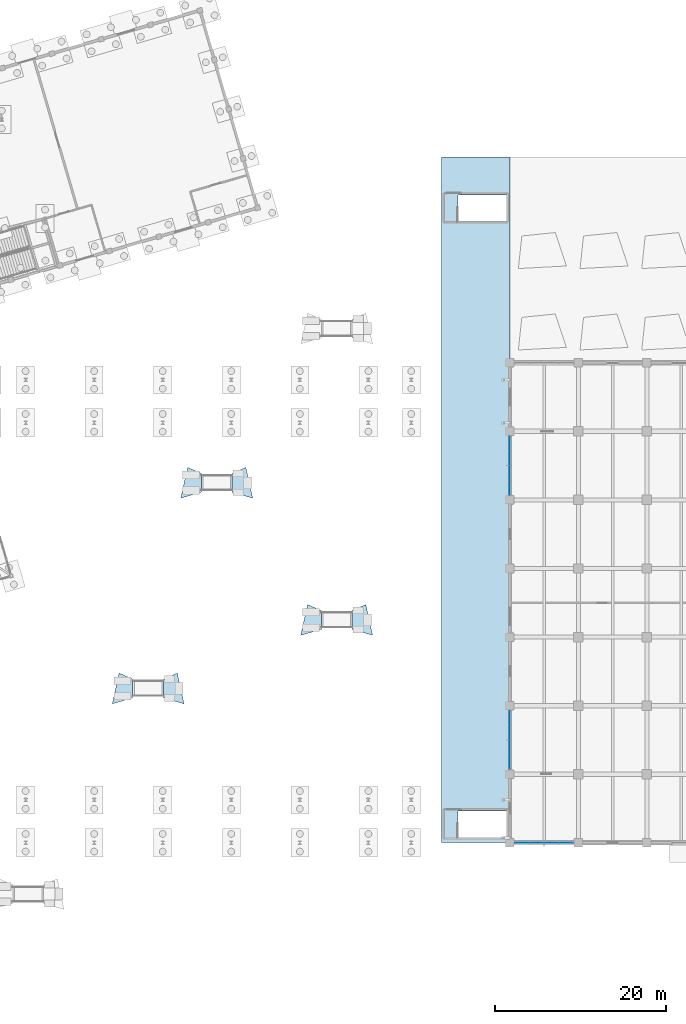
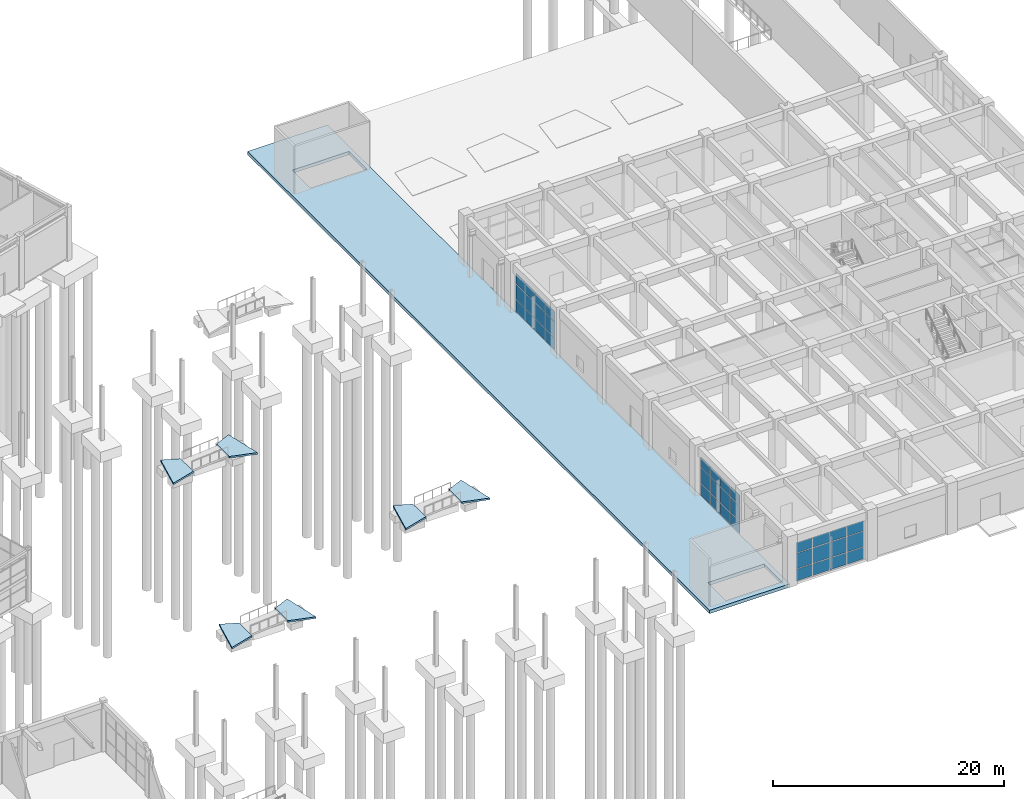
# One storey, part 65 of 90: 36 plates, 7 slabs, 3 elements without a shape of their own.
"""IFC4 building model written with IfcOpenShell, lengths in metres."""

from ifc_helpers import new_model, si_unit, direction, frame, origin, origin_2d, place, context, subcontext, project, spatial, polyline, rectangle, outline, extrude, material, layer, layer_set, type_object, element, aggregate, save


model = new_model("IFC4")

# Units and contexts
model_context = context("Model", 3, precision=1e-05, world=origin(), true_north=direction((0.0, 1.0)))
body_context = subcontext(model_context, "Body", "Model", "MODEL_VIEW")
ifc_project = project(units=[si_unit("LENGTHUNIT", "METRE"), si_unit("AREAUNIT", "SQUARE_METRE"), si_unit("VOLUMEUNIT", "CUBIC_METRE"), si_unit("PLANEANGLEUNIT", "RADIAN"), si_unit("MASSUNIT", "GRAM", prefix="KILO")], contexts=[model_context])

# Site, building, storey
site_placement = place(None, origin())
site = spatial("IfcSite", under=ifc_project, at=site_placement, CompositionType="ELEMENT")
building_placement = place(site_placement, origin())
building = spatial("IfcBuilding", under=site, at=building_placement, Name="Canggui Botanical Conservatory", CompositionType="ELEMENT")
storey_placement = place(building_placement, origin())
storey = spatial("IfcBuildingStorey", under=building, at=storey_placement, Name="L01", CompositionType="ELEMENT", Elevation=0.0)

# Curtain wall, plates
ifc_material_1 = material(Name="Thermally Broken Aluminium", Category="aluminium")
ifc_layer_1 = layer(ifc_material_1, 0.179931640625, Name="Thermally Broken Aluminium", Category="aluminium")
ifc_layer_set_1 = layer_set([ifc_layer_1], Name="Thermally Broken Aluminium")
curtain_wall_type = type_object("IfcCurtainWallType", Name="CW-UNIT-A", PredefinedType="USERDEFINED", material=ifc_layer_set_1)
curtain_wall_1_placement = place(storey_placement, origin())
curtain_wall_1 = element("IfcCurtainWall", 1, at=curtain_wall_1_placement, inside=storey, type_object=curtain_wall_type, Name="Facade Curtain Wall CW-TWR-L01-03", ObjectType="UNITISED CURTAIN WALL", PredefinedType="USERDEFINED")
ifc_material_2 = material(Name="Low-E Insulated Glass", Category="glass")
ifc_layer_2 = layer(ifc_material_2, 0.02587890625, Name="Low-E Insulated Glass", Category="glass")
ifc_layer_set_2 = layer_set([ifc_layer_2], Name="Low-E Insulated Glass")
plate_type = type_object("IfcPlateType", Name="CWP-01", PredefinedType="CURTAIN_PANEL", material=ifc_layer_set_2)
plate_1_placement = place(storey_placement, frame((136.5625, 26.0, 0.06494140625), z_axis=(0.0, 0.0, 1.0), x_axis=(-1.0, 0.0, 0.0)))
plate_1 = element("IfcPlate", 2, at=plate_1_placement, type_object=plate_type, Name="CW-01 panel 1.1", PredefinedType="CURTAIN_PANEL", context=body_context, shape_type="SweptSolid", body=[
    extrude(rectangle(XDim=1.614990234375, YDim=0.02587890625, at=origin_2d()), origin(), (0.0, 0.0, 1.0), 1.239990234375),
])
plate_2_placement = place(storey_placement, frame((136.5625, 26.0, 1.3701171875), z_axis=(0.0, 0.0, 1.0), x_axis=(-1.0, 0.0, 0.0)))
plate_2 = element("IfcPlate", 3, at=plate_2_placement, type_object=plate_type, Name="CW-01 panel 1.2", PredefinedType="CURTAIN_PANEL", context=body_context, shape_type="SweptSolid", body=[
    extrude(rectangle(XDim=1.614990234375, YDim=0.02587890625, at=origin_2d()), origin(), (0.0, 0.0, 1.0), 1.60693359375),
])
plate_3_placement = place(storey_placement, frame((136.5625, 26.0, 3.0419921875), z_axis=(0.0, 0.0, 1.0), x_axis=(-1.0, 0.0, 0.0)))
plate_3 = element("IfcPlate", 4, at=plate_3_placement, type_object=plate_type, Name="CW-01 panel 1.3", PredefinedType="CURTAIN_PANEL", context=body_context, shape_type="SweptSolid", body=[
    extrude(rectangle(XDim=1.614990234375, YDim=0.02587890625, at=origin_2d()), origin(), (0.0, 0.0, 1.0), 1.072998046875),
])
plate_4_placement = place(storey_placement, frame((134.860107421875, 26.0, 0.06494140625), z_axis=(0.0, 0.0, 1.0), x_axis=(-1.0, 0.0, 0.0)))
plate_4 = element("IfcPlate", 5, at=plate_4_placement, type_object=plate_type, Name="CW-01 panel 2.1", PredefinedType="CURTAIN_PANEL", context=body_context, shape_type="SweptSolid", body=[
    extrude(rectangle(XDim=1.64990234375, YDim=0.02587890625, at=origin_2d()), origin(), (0.0, 0.0, 1.0), 1.239990234375),
])
plate_5_placement = place(storey_placement, frame((134.860107421875, 26.0, 1.3701171875), z_axis=(0.0, 0.0, 1.0), x_axis=(-1.0, 0.0, 0.0)))
plate_5 = element("IfcPlate", 6, at=plate_5_placement, type_object=plate_type, Name="CW-01 panel 2.2", PredefinedType="CURTAIN_PANEL", context=body_context, shape_type="SweptSolid", body=[
    extrude(rectangle(XDim=1.64990234375, YDim=0.02587890625, at=origin_2d()), origin(), (0.0, 0.0, 1.0), 1.60693359375),
])
plate_6_placement = place(storey_placement, frame((134.860107421875, 26.0, 3.0419921875), z_axis=(0.0, 0.0, 1.0), x_axis=(-1.0, 0.0, 0.0)))
plate_6 = element("IfcPlate", 7, at=plate_6_placement, type_object=plate_type, Name="CW-01 panel 2.3", PredefinedType="CURTAIN_PANEL", context=body_context, shape_type="SweptSolid", body=[
    extrude(rectangle(XDim=1.64990234375, YDim=0.02587890625, at=origin_2d()), origin(), (0.0, 0.0, 1.0), 1.072998046875),
])
plate_7_placement = place(storey_placement, frame((133.139892578125, 26.0, 0.06494140625), z_axis=(0.0, 0.0, 1.0), x_axis=(-1.0, 0.0, 0.0)))
plate_7 = element("IfcPlate", 8, at=plate_7_placement, type_object=plate_type, Name="CW-01 panel 3.1", PredefinedType="CURTAIN_PANEL", context=body_context, shape_type="SweptSolid", body=[
    extrude(rectangle(XDim=1.64990234375, YDim=0.02587890625, at=origin_2d()), origin(), (0.0, 0.0, 1.0), 1.239990234375),
])
plate_8_placement = place(storey_placement, frame((133.139892578125, 26.0, 1.3701171875), z_axis=(0.0, 0.0, 1.0), x_axis=(-1.0, 0.0, 0.0)))
plate_8 = element("IfcPlate", 9, at=plate_8_placement, type_object=plate_type, Name="CW-01 panel 3.2", PredefinedType="CURTAIN_PANEL", context=body_context, shape_type="SweptSolid", body=[
    extrude(rectangle(XDim=1.64990234375, YDim=0.02587890625, at=origin_2d()), origin(), (0.0, 0.0, 1.0), 1.60693359375),
])
plate_9_placement = place(storey_placement, frame((133.139892578125, 26.0, 3.0419921875), z_axis=(0.0, 0.0, 1.0), x_axis=(-1.0, 0.0, 0.0)))
plate_9 = element("IfcPlate", 10, at=plate_9_placement, type_object=plate_type, Name="CW-01 panel 3.3", PredefinedType="CURTAIN_PANEL", context=body_context, shape_type="SweptSolid", body=[
    extrude(rectangle(XDim=1.64990234375, YDim=0.02587890625, at=origin_2d()), origin(), (0.0, 0.0, 1.0), 1.072998046875),
])
plate_10_placement = place(storey_placement, frame((131.4375, 26.0, 0.06494140625), z_axis=(0.0, 0.0, 1.0), x_axis=(-1.0, 0.0, 0.0)))
plate_10 = element("IfcPlate", 11, at=plate_10_placement, type_object=plate_type, Name="CW-01 panel 4.1", PredefinedType="CURTAIN_PANEL", context=body_context, shape_type="SweptSolid", body=[
    extrude(rectangle(XDim=1.614990234375, YDim=0.02587890625, at=origin_2d()), origin(), (0.0, 0.0, 1.0), 1.239990234375),
])
plate_11_placement = place(storey_placement, frame((131.4375, 26.0, 1.3701171875), z_axis=(0.0, 0.0, 1.0), x_axis=(-1.0, 0.0, 0.0)))
plate_11 = element("IfcPlate", 12, at=plate_11_placement, type_object=plate_type, Name="CW-01 panel 4.2", PredefinedType="CURTAIN_PANEL", context=body_context, shape_type="SweptSolid", body=[
    extrude(rectangle(XDim=1.614990234375, YDim=0.02587890625, at=origin_2d()), origin(), (0.0, 0.0, 1.0), 1.60693359375),
])
plate_12_placement = place(storey_placement, frame((131.4375, 26.0, 3.0419921875), z_axis=(0.0, 0.0, 1.0), x_axis=(-1.0, 0.0, 0.0)))
plate_12 = element("IfcPlate", 13, at=plate_12_placement, type_object=plate_type, Name="CW-01 panel 4.3", PredefinedType="CURTAIN_PANEL", context=body_context, shape_type="SweptSolid", body=[
    extrude(rectangle(XDim=1.614990234375, YDim=0.02587890625, at=origin_2d()), origin(), (0.0, 0.0, 1.0), 1.072998046875),
])
aggregate(curtain_wall_1, [plate_1, plate_2, plate_3, plate_4, plate_5, plate_6, plate_7, plate_8, plate_9, plate_10, plate_11, plate_12])

curtain_wall_2_placement = place(storey_placement, origin())
curtain_wall_2 = element("IfcCurtainWall", 14, at=curtain_wall_2_placement, inside=storey, type_object=curtain_wall_type, Name="Facade Curtain Wall CW-TWR-L01-05", ObjectType="UNITISED CURTAIN WALL", PredefinedType="USERDEFINED")
plate_13_placement = place(storey_placement, frame((130.0, 35.4375, 0.06494140625), z_axis=(0.0, 0.0, 1.0), x_axis=(0.0, 1.0, 0.0)))
plate_13 = element("IfcPlate", 15, at=plate_13_placement, type_object=plate_type, Name="CW-01 panel 1.1", PredefinedType="CURTAIN_PANEL", context=body_context, shape_type="SweptSolid", body=[
    extrude(rectangle(XDim=1.614990234375, YDim=0.02587890625, at=origin_2d()), origin(), (0.0, 0.0, 1.0), 1.239990234375),
])
plate_14_placement = place(storey_placement, frame((130.0, 35.4375, 1.3701171875), z_axis=(0.0, 0.0, 1.0), x_axis=(0.0, 1.0, 0.0)))
plate_14 = element("IfcPlate", 16, at=plate_14_placement, type_object=plate_type, Name="CW-01 panel 1.2", PredefinedType="CURTAIN_PANEL", context=body_context, shape_type="SweptSolid", body=[
    extrude(rectangle(XDim=1.614990234375, YDim=0.02587890625, at=origin_2d()), origin(), (0.0, 0.0, 1.0), 1.60693359375),
])
plate_15_placement = place(storey_placement, frame((130.0, 35.4375, 3.0419921875), z_axis=(0.0, 0.0, 1.0), x_axis=(0.0, 1.0, 0.0)))
plate_15 = element("IfcPlate", 17, at=plate_15_placement, type_object=plate_type, Name="CW-01 panel 1.3", PredefinedType="CURTAIN_PANEL", context=body_context, shape_type="SweptSolid", body=[
    extrude(rectangle(XDim=1.614990234375, YDim=0.02587890625, at=origin_2d()), origin(), (0.0, 0.0, 1.0), 1.072998046875),
])
plate_16_placement = place(storey_placement, frame((130.0, 37.139892578125, 0.06494140625), z_axis=(0.0, 0.0, 1.0), x_axis=(0.0, 1.0, 0.0)))
plate_16 = element("IfcPlate", 18, at=plate_16_placement, type_object=plate_type, Name="CW-01 panel 2.1", PredefinedType="CURTAIN_PANEL", context=body_context, shape_type="SweptSolid", body=[
    extrude(rectangle(XDim=1.64990234375, YDim=0.02587890625, at=origin_2d()), origin(), (0.0, 0.0, 1.0), 1.239990234375),
])
plate_17_placement = place(storey_placement, frame((130.0, 37.139892578125, 1.3701171875), z_axis=(0.0, 0.0, 1.0), x_axis=(0.0, 1.0, 0.0)))
plate_17 = element("IfcPlate", 19, at=plate_17_placement, type_object=plate_type, Name="CW-01 panel 2.2", PredefinedType="CURTAIN_PANEL", context=body_context, shape_type="SweptSolid", body=[
    extrude(rectangle(XDim=1.64990234375, YDim=0.02587890625, at=origin_2d()), origin(), (0.0, 0.0, 1.0), 1.60693359375),
])
plate_18_placement = place(storey_placement, frame((130.0, 37.139892578125, 3.0419921875), z_axis=(0.0, 0.0, 1.0), x_axis=(0.0, 1.0, 0.0)))
plate_18 = element("IfcPlate", 20, at=plate_18_placement, type_object=plate_type, Name="CW-01 panel 2.3", PredefinedType="CURTAIN_PANEL", context=body_context, shape_type="SweptSolid", body=[
    extrude(rectangle(XDim=1.64990234375, YDim=0.02587890625, at=origin_2d()), origin(), (0.0, 0.0, 1.0), 1.072998046875),
])
plate_19_placement = place(storey_placement, frame((130.0, 38.860107421875, 0.06494140625), z_axis=(0.0, 0.0, 1.0), x_axis=(0.0, 1.0, 0.0)))
plate_19 = element("IfcPlate", 21, at=plate_19_placement, type_object=plate_type, Name="CW-01 panel 3.1", PredefinedType="CURTAIN_PANEL", context=body_context, shape_type="SweptSolid", body=[
    extrude(rectangle(XDim=1.64990234375, YDim=0.02587890625, at=origin_2d()), origin(), (0.0, 0.0, 1.0), 1.239990234375),
])
plate_20_placement = place(storey_placement, frame((130.0, 38.860107421875, 1.3701171875), z_axis=(0.0, 0.0, 1.0), x_axis=(0.0, 1.0, 0.0)))
plate_20 = element("IfcPlate", 22, at=plate_20_placement, type_object=plate_type, Name="CW-01 panel 3.2", PredefinedType="CURTAIN_PANEL", context=body_context, shape_type="SweptSolid", body=[
    extrude(rectangle(XDim=1.64990234375, YDim=0.02587890625, at=origin_2d()), origin(), (0.0, 0.0, 1.0), 1.60693359375),
])
plate_21_placement = place(storey_placement, frame((130.0, 38.860107421875, 3.0419921875), z_axis=(0.0, 0.0, 1.0), x_axis=(0.0, 1.0, 0.0)))
plate_21 = element("IfcPlate", 23, at=plate_21_placement, type_object=plate_type, Name="CW-01 panel 3.3", PredefinedType="CURTAIN_PANEL", context=body_context, shape_type="SweptSolid", body=[
    extrude(rectangle(XDim=1.64990234375, YDim=0.02587890625, at=origin_2d()), origin(), (0.0, 0.0, 1.0), 1.072998046875),
])
plate_22_placement = place(storey_placement, frame((130.0, 40.5625, 0.06494140625), z_axis=(0.0, 0.0, 1.0), x_axis=(0.0, 1.0, 0.0)))
plate_22 = element("IfcPlate", 24, at=plate_22_placement, type_object=plate_type, Name="CW-01 panel 4.1", PredefinedType="CURTAIN_PANEL", context=body_context, shape_type="SweptSolid", body=[
    extrude(rectangle(XDim=1.614990234375, YDim=0.02587890625, at=origin_2d()), origin(), (0.0, 0.0, 1.0), 1.239990234375),
])
plate_23_placement = place(storey_placement, frame((130.0, 40.5625, 1.3701171875), z_axis=(0.0, 0.0, 1.0), x_axis=(0.0, 1.0, 0.0)))
plate_23 = element("IfcPlate", 25, at=plate_23_placement, type_object=plate_type, Name="CW-01 panel 4.2", PredefinedType="CURTAIN_PANEL", context=body_context, shape_type="SweptSolid", body=[
    extrude(rectangle(XDim=1.614990234375, YDim=0.02587890625, at=origin_2d()), origin(), (0.0, 0.0, 1.0), 1.60693359375),
])
plate_24_placement = place(storey_placement, frame((130.0, 40.5625, 3.0419921875), z_axis=(0.0, 0.0, 1.0), x_axis=(0.0, 1.0, 0.0)))
plate_24 = element("IfcPlate", 26, at=plate_24_placement, type_object=plate_type, Name="CW-01 panel 4.3", PredefinedType="CURTAIN_PANEL", context=body_context, shape_type="SweptSolid", body=[
    extrude(rectangle(XDim=1.614990234375, YDim=0.02587890625, at=origin_2d()), origin(), (0.0, 0.0, 1.0), 1.072998046875),
])
aggregate(curtain_wall_2, [plate_13, plate_14, plate_15, plate_16, plate_17, plate_18, plate_19, plate_20, plate_21, plate_22, plate_23, plate_24])

curtain_wall_3_placement = place(storey_placement, origin())
curtain_wall_3 = element("IfcCurtainWall", 27, at=curtain_wall_3_placement, inside=storey, type_object=curtain_wall_type, Name="Facade Curtain Wall CW-TWR-L01-09", ObjectType="UNITISED CURTAIN WALL", PredefinedType="USERDEFINED")
plate_25_placement = place(storey_placement, frame((130.0, 67.4375, 0.06494140625), z_axis=(0.0, 0.0, 1.0), x_axis=(0.0, 1.0, 0.0)))
plate_25 = element("IfcPlate", 28, at=plate_25_placement, type_object=plate_type, Name="CW-01 panel 1.1", PredefinedType="CURTAIN_PANEL", context=body_context, shape_type="SweptSolid", body=[
    extrude(rectangle(XDim=1.614990234375, YDim=0.02587890625, at=origin_2d()), origin(), (0.0, 0.0, 1.0), 1.239990234375),
])
plate_26_placement = place(storey_placement, frame((130.0, 67.4375, 1.3701171875), z_axis=(0.0, 0.0, 1.0), x_axis=(0.0, 1.0, 0.0)))
plate_26 = element("IfcPlate", 29, at=plate_26_placement, type_object=plate_type, Name="CW-01 panel 1.2", PredefinedType="CURTAIN_PANEL", context=body_context, shape_type="SweptSolid", body=[
    extrude(rectangle(XDim=1.614990234375, YDim=0.02587890625, at=origin_2d()), origin(), (0.0, 0.0, 1.0), 1.60693359375),
])
plate_27_placement = place(storey_placement, frame((130.0, 67.4375, 3.0419921875), z_axis=(0.0, 0.0, 1.0), x_axis=(0.0, 1.0, 0.0)))
plate_27 = element("IfcPlate", 30, at=plate_27_placement, type_object=plate_type, Name="CW-01 panel 1.3", PredefinedType="CURTAIN_PANEL", context=body_context, shape_type="SweptSolid", body=[
    extrude(rectangle(XDim=1.614990234375, YDim=0.02587890625, at=origin_2d()), origin(), (0.0, 0.0, 1.0), 1.072998046875),
])
plate_28_placement = place(storey_placement, frame((130.0, 69.139892578125, 0.06494140625), z_axis=(0.0, 0.0, 1.0), x_axis=(0.0, 1.0, 0.0)))
plate_28 = element("IfcPlate", 31, at=plate_28_placement, type_object=plate_type, Name="CW-01 panel 2.1", PredefinedType="CURTAIN_PANEL", context=body_context, shape_type="SweptSolid", body=[
    extrude(rectangle(XDim=1.64990234375, YDim=0.02587890625, at=origin_2d()), origin(), (0.0, 0.0, 1.0), 1.239990234375),
])
plate_29_placement = place(storey_placement, frame((130.0, 69.139892578125, 1.3701171875), z_axis=(0.0, 0.0, 1.0), x_axis=(0.0, 1.0, 0.0)))
plate_29 = element("IfcPlate", 32, at=plate_29_placement, type_object=plate_type, Name="CW-01 panel 2.2", PredefinedType="CURTAIN_PANEL", context=body_context, shape_type="SweptSolid", body=[
    extrude(rectangle(XDim=1.64990234375, YDim=0.02587890625, at=origin_2d()), origin(), (0.0, 0.0, 1.0), 1.60693359375),
])
plate_30_placement = place(storey_placement, frame((130.0, 69.139892578125, 3.0419921875), z_axis=(0.0, 0.0, 1.0), x_axis=(0.0, 1.0, 0.0)))
plate_30 = element("IfcPlate", 33, at=plate_30_placement, type_object=plate_type, Name="CW-01 panel 2.3", PredefinedType="CURTAIN_PANEL", context=body_context, shape_type="SweptSolid", body=[
    extrude(rectangle(XDim=1.64990234375, YDim=0.02587890625, at=origin_2d()), origin(), (0.0, 0.0, 1.0), 1.072998046875),
])
plate_31_placement = place(storey_placement, frame((130.0, 70.860107421875, 0.06494140625), z_axis=(0.0, 0.0, 1.0), x_axis=(0.0, 1.0, 0.0)))
plate_31 = element("IfcPlate", 34, at=plate_31_placement, type_object=plate_type, Name="CW-01 panel 3.1", PredefinedType="CURTAIN_PANEL", context=body_context, shape_type="SweptSolid", body=[
    extrude(rectangle(XDim=1.64990234375, YDim=0.02587890625, at=origin_2d()), origin(), (0.0, 0.0, 1.0), 1.239990234375),
])
plate_32_placement = place(storey_placement, frame((130.0, 70.860107421875, 1.3701171875), z_axis=(0.0, 0.0, 1.0), x_axis=(0.0, 1.0, 0.0)))
plate_32 = element("IfcPlate", 35, at=plate_32_placement, type_object=plate_type, Name="CW-01 panel 3.2", PredefinedType="CURTAIN_PANEL", context=body_context, shape_type="SweptSolid", body=[
    extrude(rectangle(XDim=1.64990234375, YDim=0.02587890625, at=origin_2d()), origin(), (0.0, 0.0, 1.0), 1.60693359375),
])
plate_33_placement = place(storey_placement, frame((130.0, 70.860107421875, 3.0419921875), z_axis=(0.0, 0.0, 1.0), x_axis=(0.0, 1.0, 0.0)))
plate_33 = element("IfcPlate", 36, at=plate_33_placement, type_object=plate_type, Name="CW-01 panel 3.3", PredefinedType="CURTAIN_PANEL", context=body_context, shape_type="SweptSolid", body=[
    extrude(rectangle(XDim=1.64990234375, YDim=0.02587890625, at=origin_2d()), origin(), (0.0, 0.0, 1.0), 1.072998046875),
])
plate_34_placement = place(storey_placement, frame((130.0, 72.5625, 0.06494140625), z_axis=(0.0, 0.0, 1.0), x_axis=(0.0, 1.0, 0.0)))
plate_34 = element("IfcPlate", 37, at=plate_34_placement, type_object=plate_type, Name="CW-01 panel 4.1", PredefinedType="CURTAIN_PANEL", context=body_context, shape_type="SweptSolid", body=[
    extrude(rectangle(XDim=1.614990234375, YDim=0.02587890625, at=origin_2d()), origin(), (0.0, 0.0, 1.0), 1.239990234375),
])
plate_35_placement = place(storey_placement, frame((130.0, 72.5625, 1.3701171875), z_axis=(0.0, 0.0, 1.0), x_axis=(0.0, 1.0, 0.0)))
plate_35 = element("IfcPlate", 38, at=plate_35_placement, type_object=plate_type, Name="CW-01 panel 4.2", PredefinedType="CURTAIN_PANEL", context=body_context, shape_type="SweptSolid", body=[
    extrude(rectangle(XDim=1.614990234375, YDim=0.02587890625, at=origin_2d()), origin(), (0.0, 0.0, 1.0), 1.60693359375),
])
plate_36_placement = place(storey_placement, frame((130.0, 72.5625, 3.0419921875), z_axis=(0.0, 0.0, 1.0), x_axis=(0.0, 1.0, 0.0)))
plate_36 = element("IfcPlate", 39, at=plate_36_placement, type_object=plate_type, Name="CW-01 panel 4.3", PredefinedType="CURTAIN_PANEL", context=body_context, shape_type="SweptSolid", body=[
    extrude(rectangle(XDim=1.614990234375, YDim=0.02587890625, at=origin_2d()), origin(), (0.0, 0.0, 1.0), 1.072998046875),
])
aggregate(curtain_wall_3, [plate_25, plate_26, plate_27, plate_28, plate_29, plate_30, plate_31, plate_32, plate_33, plate_34, plate_35, plate_36])

# Slabs
ifc_material_3 = material(Name="Concrete C35", Category="concrete")
ifc_layer_3 = layer(ifc_material_3, 0.35009765625, Name="Concrete C35", Category="concrete")
ifc_layer_set_3 = layer_set([ifc_layer_3], Name="Concrete C35")
slab_type_1 = type_object("IfcSlabType", Name="SLAB-F350", PredefinedType="FLOOR", material=ifc_layer_set_3)
slab_1_placement = place(storey_placement, frame((0.0, 0.0, -0.35009765625)))
element("IfcSlab", 40, at=slab_1_placement, inside=storey, type_object=slab_type_1, Name="Courtyard Fire-Lane Deck Slab Over Basement West", PredefinedType="FLOOR", context=body_context, shape_type="SweptSolid", body=[
    extrude(outline(polyline([(122.0, 26.0), (130.0, 26.0), (130.0, 106.0), (122.0, 106.0), (122.0, 26.0)]), holes=[polyline([(123.950439453125, 26.60009765625), (129.60009765625, 26.60009765625), (129.60009765625, 29.699951171875), (123.950439453125, 29.699951171875), (123.950439453125, 26.60009765625)]), polyline([(123.950439453125, 98.5), (129.60009765625, 98.5), (129.60009765625, 101.60009765625), (123.950439453125, 101.60009765625), (123.950439453125, 98.5)])]), origin(), (0.0, 0.0, 1.0), 0.35009765625),
])
ifc_layer_4 = layer(ifc_material_3, 0.179931640625, Name="Concrete C35", Category="concrete")
ifc_layer_set_4 = layer_set([ifc_layer_4], Name="Concrete C35")
slab_type_2 = type_object("IfcSlabType", Name="SLAB-PAV-180", PredefinedType="USERDEFINED", material=ifc_layer_set_4)
slab_2_placement = place(storey_placement, frame((0.0, 0.0, -0.47998046875)))
element("IfcSlab", 41, at=slab_2_placement, inside=storey, type_object=slab_type_2, Name="PR-02 Lower Courtyard Landing Paving", ObjectType="PAVING", PredefinedType="USERDEFINED", context=body_context, shape_type="SweptSolid", body=[
    extrude(outline(polyline([(83.60009765625, 42.199951171875), (86.00048828125, 42.89990234375), (86.00048828125, 45.10009765625), (84.39990234375, 45.800048828125), (83.60009765625, 42.199951171875)])), origin(), (0.0, 0.0, 1.0), 0.179931640625),
])
slab_3_placement = place(storey_placement, frame((0.0, 0.0, -0.179931640625)))
element("IfcSlab", 42, at=slab_3_placement, inside=storey, type_object=slab_type_2, Name="PR-02 Upper Courtyard Landing Paving", ObjectType="PAVING", PredefinedType="USERDEFINED", context=body_context, shape_type="SweptSolid", body=[
    extrude(outline(polyline([(89.599609375, 42.89990234375), (92.0, 42.199951171875), (91.199951171875, 45.800048828125), (89.599609375, 45.10009765625), (89.599609375, 42.89990234375)])), origin(), (0.0, 0.0, 1.0), 0.179931640625),
])
slab_4_placement = place(storey_placement, frame((0.0, 0.0, -0.47998046875)))
element("IfcSlab", 43, at=slab_4_placement, inside=storey, type_object=slab_type_2, Name="PR-03 Lower Courtyard Landing Paving", ObjectType="PAVING", PredefinedType="USERDEFINED", context=body_context, shape_type="SweptSolid", body=[
    extrude(outline(polyline([(105.60009765625, 50.199951171875), (108.00048828125, 50.89990234375), (108.00048828125, 53.10009765625), (106.39990234375, 53.800048828125), (105.60009765625, 50.199951171875)])), origin(), (0.0, 0.0, 1.0), 0.179931640625),
])
slab_5_placement = place(storey_placement, frame((0.0, 0.0, -0.179931640625)))
element("IfcSlab", 44, at=slab_5_placement, inside=storey, type_object=slab_type_2, Name="PR-03 Upper Courtyard Landing Paving", ObjectType="PAVING", PredefinedType="USERDEFINED", context=body_context, shape_type="SweptSolid", body=[
    extrude(outline(polyline([(111.599609375, 50.89990234375), (114.0, 50.199951171875), (113.199951171875, 53.800048828125), (111.599609375, 53.10009765625), (111.599609375, 50.89990234375)])), origin(), (0.0, 0.0, 1.0), 0.179931640625),
])
slab_6_placement = place(storey_placement, frame((0.0, 0.0, -0.47998046875)))
element("IfcSlab", 45, at=slab_6_placement, inside=storey, type_object=slab_type_2, Name="PR-05 Lower Courtyard Landing Paving", ObjectType="PAVING", PredefinedType="USERDEFINED", context=body_context, shape_type="SweptSolid", body=[
    extrude(outline(polyline([(91.60009765625, 66.199951171875), (94.00048828125, 66.89990234375), (94.00048828125, 69.10009765625), (92.39990234375, 69.800048828125), (91.60009765625, 66.199951171875)])), origin(), (0.0, 0.0, 1.0), 0.179931640625),
])
slab_7_placement = place(storey_placement, frame((0.0, 0.0, -0.179931640625)))
element("IfcSlab", 46, at=slab_7_placement, inside=storey, type_object=slab_type_2, Name="PR-05 Upper Courtyard Landing Paving", ObjectType="PAVING", PredefinedType="USERDEFINED", context=body_context, shape_type="SweptSolid", body=[
    extrude(outline(polyline([(97.599609375, 66.89990234375), (100.0, 66.199951171875), (99.199951171875, 69.800048828125), (97.599609375, 69.10009765625), (97.599609375, 66.89990234375)])), origin(), (0.0, 0.0, 1.0), 0.179931640625),
])

save(model, "model.ifc")
